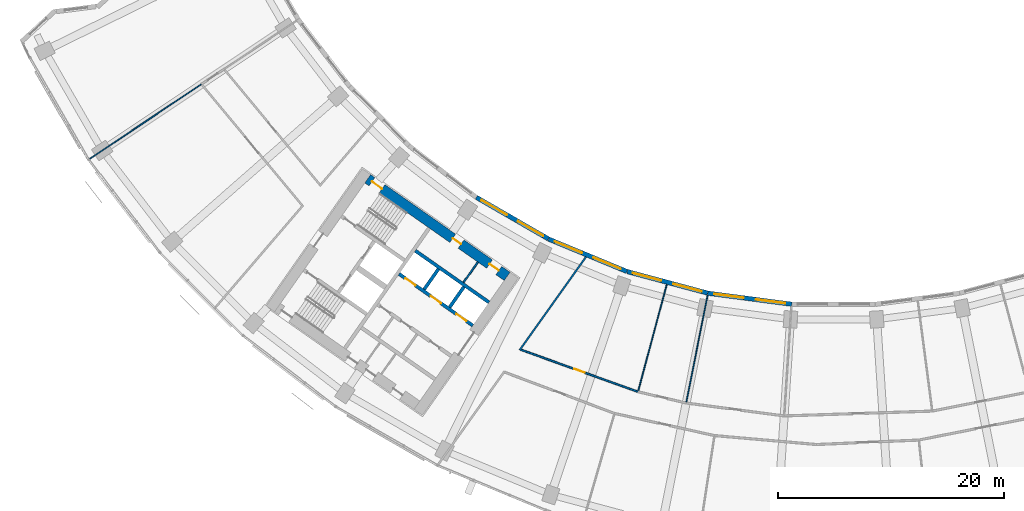
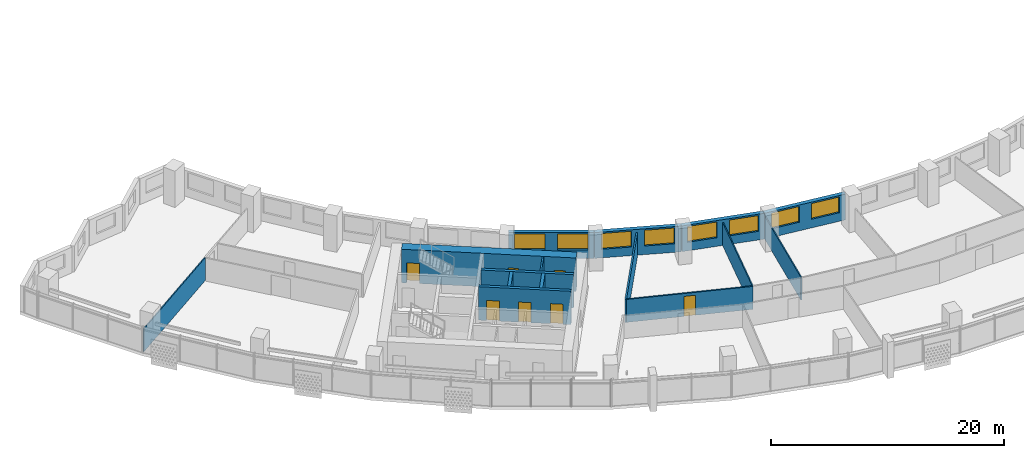
# One storey, part 4 of 30: 15 walls, 8 windows, 7 doors, 15 openings.
"""IFC4 building model written with IfcOpenShell, lengths in metres."""

from ifc_helpers import new_model, si_unit, direction, frame, frame_2d, origin, place, context, subcontext, project, spatial, rectangle, extrude, material, layer, layer_set, type_object, element, fill, save


model = new_model("IFC4")

# Units and contexts
model_context = context("Model", 3, precision=1e-05, world=origin(), true_north=direction((0.0, 1.0)))
body_context = subcontext(model_context, "Body", "Model", "MODEL_VIEW")
ifc_project = project(units=[si_unit("LENGTHUNIT", "METRE"), si_unit("AREAUNIT", "SQUARE_METRE"), si_unit("VOLUMEUNIT", "CUBIC_METRE"), si_unit("PLANEANGLEUNIT", "RADIAN"), si_unit("MASSUNIT", "GRAM", prefix="KILO")], contexts=[model_context])

# Site, building, storey
site_placement = place(None, origin())
site = spatial("IfcSite", under=ifc_project, at=site_placement, CompositionType="ELEMENT")
building_placement = place(site_placement, origin())
building = spatial("IfcBuilding", under=site, at=building_placement, Name="Qamariyya Broadcast Tower", CompositionType="ELEMENT")
storey_placement = place(building_placement, frame((0.0, 0.0, 98.699951171875)))
storey = spatial("IfcBuildingStorey", under=building, at=storey_placement, Name="L21", CompositionType="ELEMENT", Elevation=98.699951171875)

# Wall, openings, doors
ifc_material_1 = material(Name="Concrete C70/85", Category="concrete")
ifc_layer_1 = layer(ifc_material_1, 0.89990234375)
ifc_layer_set_1 = layer_set([ifc_layer_1], Name="Core wall 900 mm Concrete C70/85")
wall_type_1 = type_object("IfcWallType", Name="Core wall 900 mm Concrete C70/85", PredefinedType="SHEAR", material=ifc_layer_set_1)
wall_1_placement = place(storey_placement, frame((-28.8544921875, -54.32421875, 0.0), z_axis=(0.0, 0.0, 1.0), x_axis=(-0.819145767589, 0.573585400304, 0.0)))
wall_1 = element("IfcWall", 1, at=wall_1_placement, inside=storey, type_object=wall_type_1, Name="k-W-L21-WI", PredefinedType="SHEAR", context=body_context, shape_type="SweptSolid", body=[
    extrude(rectangle(XDim=15.04541015625, YDim=0.89990234375, at=frame_2d((7.522705078125, 0.0))), origin(), (0.0, 0.0, 1.0), 3.5),
])
opening_1_placement = place(wall_1_placement, frame((0.89990234375, 0.0, 0.0)))
opening_1 = element("IfcOpeningElement", 2, at=opening_1_placement, cuts=wall_1, Name="Opening KD7-W1", PredefinedType="OPENING", context=body_context, shape_type="SweptSolid", body=[
    extrude(rectangle(XDim=1.0, YDim=2.10009765625, at=frame_2d((0.5, 1.050048828125))), frame((0.0, 0.4599609375, 0.0), z_axis=(0.0, -1.0, 0.0), x_axis=(1.0, 0.0, 0.0)), (0.0, 0.0, 1.0), 0.919921875),
])
opening_2_placement = place(wall_1_placement, frame((4.97509765625, 0.0, 0.0)))
opening_2 = element("IfcOpeningElement", 3, at=opening_2_placement, cuts=wall_1, Name="Opening KD5-W1", PredefinedType="OPENING", context=body_context, shape_type="SweptSolid", body=[
    extrude(rectangle(XDim=0.89990234375, YDim=2.10009765625, at=frame_2d((0.449951171875, 1.050048828125))), frame((0.0, 0.4599609375, 0.0), z_axis=(0.0, -1.0, 0.0), x_axis=(1.0, 0.0, 0.0)), (0.0, 0.0, 1.0), 0.919921875),
])
opening_3_placement = place(wall_1_placement, frame((13.495361328125, 0.0, 0.0)))
opening_3 = element("IfcOpeningElement", 4, at=opening_3_placement, cuts=wall_1, Name="Opening KD1-W1", PredefinedType="OPENING", context=body_context, shape_type="SweptSolid", body=[
    extrude(rectangle(XDim=1.10009765625, YDim=2.10009765625, at=frame_2d((0.550048828125, 1.050048828125))), frame((0.0, 0.4599609375, 0.0), z_axis=(0.0, -1.0, 0.0), x_axis=(1.0, 0.0, 0.0)), (0.0, 0.0, 1.0), 0.919921875),
])
ifc_material_2 = material(Name="Steel fire-resisting door leaf", Category="steel")
door_type_1 = type_object("IfcDoorType", Name="Accessible toilet door KD7", OperationType="SINGLE_SWING_LEFT", PredefinedType="DOOR", material=ifc_material_2)
door_1_placement = place(opening_1_placement, origin())
door_1 = element("IfcDoor", 5, at=door_1_placement, inside=storey, type_object=door_type_1, Name="k-W-L21-WI-D8", OperationType="SINGLE_SWING_LEFT", OverallHeight=2.10009765625, OverallWidth=1.0, PredefinedType="DOOR", context=body_context, shape_type="SweptSolid", body=[
    extrude(rectangle(XDim=1.0, YDim=2.10009765625, at=frame_2d((0.5, 1.050048828125))), frame((0.0, 0.02490234375, 0.0), z_axis=(0.0, -1.0, 0.0), x_axis=(1.0, 0.0, 0.0)), (0.0, 0.0, 1.0), 0.050048828125),
])
fill(opening_1, door_1)
door_type_2 = type_object("IfcDoorType", Name="Stair door KD1", OperationType="SINGLE_SWING_LEFT", PredefinedType="DOOR", material=ifc_material_2)
door_2_placement = place(opening_3_placement, origin())
door_2 = element("IfcDoor", 6, at=door_2_placement, inside=storey, type_object=door_type_2, Name="k-W-L21-WI-D16", OperationType="SINGLE_SWING_RIGHT", OverallHeight=2.10009765625, OverallWidth=1.10009765625, PredefinedType="DOOR", context=body_context, shape_type="SweptSolid", body=[
    extrude(rectangle(XDim=1.10009765625, YDim=2.10009765625, at=frame_2d((0.550048828125, 1.050048828125))), frame((0.0, 0.02490234375, 0.0), z_axis=(0.0, -1.0, 0.0), x_axis=(1.0, 0.0, 0.0)), (0.0, 0.0, 1.0), 0.050048828125),
])
fill(opening_3, door_2)
door_type_3 = type_object("IfcDoorType", Name="Toilet door KD5", OperationType="SINGLE_SWING_LEFT", PredefinedType="DOOR", material=ifc_material_2)
door_3_placement = place(opening_2_placement, origin())
door_3 = element("IfcDoor", 7, at=door_3_placement, inside=storey, type_object=door_type_3, Name="k-W-L21-WI-D9", OperationType="SINGLE_SWING_RIGHT", OverallHeight=2.10009765625, OverallWidth=0.89990234375, PredefinedType="DOOR", context=body_context, shape_type="SweptSolid", body=[
    extrude(rectangle(XDim=0.89990234375, YDim=2.10009765625, at=frame_2d((0.449951171875, 1.050048828125))), frame((0.0, 0.02490234375, 0.0), z_axis=(0.0, -1.0, 0.0), x_axis=(1.0, 0.0, 0.0)), (0.0, 0.0, 1.0), 0.050048828125),
])
fill(opening_2, door_3)

# Wall, opening, door
ifc_material_3 = material(Name="Gypsum board partition")
ifc_layer_2 = layer(ifc_material_3, 0.14990234375)
ifc_layer_set_2 = layer_set([ifc_layer_2], Name="Corridor partition 150 EI 60")
wall_type_2 = type_object("IfcWallType", Name="Corridor partition 150 EI 60", PredefinedType="PARTITIONING", material=ifc_layer_set_2)
wall_2_placement = place(storey_placement, frame((-27.64013671875, -60.806640625, 0.0), z_axis=(0.0, 0.0, 1.0), x_axis=(0.941150861554, -0.337986768669, 0.0)))
wall_2 = element("IfcWall", 8, at=wall_2_placement, inside=storey, type_object=wall_type_2, Name="Partition L21-010", PredefinedType="PARTITIONING", context=body_context, shape_type="SweptSolid", body=[
    extrude(rectangle(XDim=10.998291015625, YDim=0.14990234375, at=frame_2d((5.4990234375, 0.0))), origin(), (0.0, 0.0, 1.0), 2.400146484375),
])
opening_4_placement = place(wall_2_placement, frame((4.9990234375, 0.0, 0.0)))
opening_4 = element("IfcOpeningElement", 9, at=opening_4_placement, cuts=wall_2, Name="Opening L21-D06", PredefinedType="OPENING", context=body_context, shape_type="SweptSolid", body=[
    extrude(rectangle(XDim=1.0, YDim=2.10009765625, at=frame_2d((0.5, 1.050048828125))), frame((0.0, 0.0849609375, 0.0), z_axis=(0.0, -1.0, 0.0), x_axis=(1.0, 0.0, 0.0)), (0.0, 0.0, 1.0), 0.169921875),
])
ifc_material_4 = material(Name="Timber fire door leaf", Category="wood")
door_type_4 = type_object("IfcDoorType", Name="Fire door 1000 x 2100 FD60", OperationType="NOTDEFINED", PredefinedType="DOOR", material=ifc_material_4)
door_4_placement = place(opening_4_placement, origin())
door_4 = element("IfcDoor", 10, at=door_4_placement, inside=storey, type_object=door_type_4, Name="Door L21-D06", OperationType="SINGLE_SWING_RIGHT", OverallHeight=2.10009765625, OverallWidth=1.0, PredefinedType="DOOR", context=body_context, shape_type="SweptSolid", body=[
    extrude(rectangle(XDim=1.0, YDim=2.10009765625, at=frame_2d((0.5, 1.050048828125))), frame((0.0, 0.02490234375, 0.0), z_axis=(0.0, -1.0, 0.0), x_axis=(1.0, 0.0, 0.0)), (0.0, 0.0, 1.0), 0.050048828125),
])
fill(opening_4, door_4)

# Walls
wall_3_placement = place(storey_placement, frame((-21.8837890625, -52.59765625, 0.0), z_axis=(0.0, 0.0, 1.0), x_axis=(-0.580016763963, -0.814604538118, 0.0)))
element("IfcWall", 11, at=wall_3_placement, inside=storey, type_object=wall_type_2, Name="Partition L21-012", PredefinedType="PARTITIONING", context=body_context, shape_type="SweptSolid", body=[
    extrude(rectangle(XDim=10.12109375, YDim=0.14990234375, at=frame_2d((5.060546875, 0.0))), origin(), (0.0, 0.0, 1.0), 2.400146484375),
])
ifc_material_5 = material(Name="Gypsum board partition on steel studs", Category="steel")
ifc_layer_3 = layer(ifc_material_5, 0.14990234375)
ifc_layer_set_3 = layer_set([ifc_layer_3], Name="Gypsum board partition 150 mm")
wall_type_3 = type_object("IfcWallType", Name="Gypsum board partition 150 mm", PredefinedType="PARTITIONING", material=ifc_layer_set_3)
wall_4_placement = place(storey_placement, frame((-32.709228515625, -54.860107421875, 0.0), z_axis=(0.0, 0.0, 1.0), x_axis=(0.573633636671, 0.819111989218, 0.0)))
element("IfcWall", 12, at=wall_4_placement, inside=storey, type_object=wall_type_3, Name="k-W-L21-NP285", PredefinedType="PARTITIONING", context=body_context, shape_type="SweptSolid", body=[
    extrude(rectangle(XDim=2.199951171875, YDim=0.14990234375, at=frame_2d((1.10009765625, 0.0))), origin(), (0.0, 0.0, 1.0), 3.5),
])

# Wall, openings, doors
ifc_material_6 = material(Name="Concrete C60/75", Category="concrete")
ifc_layer_4 = layer(ifc_material_6, 0.300048828125)
ifc_layer_set_4 = layer_set([ifc_layer_4], Name="Lift shaft wall 300 mm Concrete C60/75")
wall_type_4 = type_object("IfcWallType", Name="Lift shaft wall 300 mm Concrete C60/75", PredefinedType="SOLIDWALL", material=ifc_layer_set_4)
wall_5_placement = place(storey_placement, frame((-31.89453125, -58.66552734375, 0.0), z_axis=(0.0, 0.0, 1.0), x_axis=(-0.819166993208, 0.573555086491, 0.0)))
wall_5 = element("IfcWall", 13, at=wall_5_placement, inside=storey, type_object=wall_type_4, Name="k-W-L21-NF0", PredefinedType="SOLIDWALL", context=body_context, shape_type="SweptSolid", body=[
    extrude(rectangle(XDim=7.9501953125, YDim=0.300048828125, at=frame_2d((3.97509765625, 0.0))), origin(), (0.0, 0.0, 1.0), 3.5),
])
opening_5_placement = place(wall_5_placement, frame((0.675048828125, 0.0, 0.0)))
opening_5 = element("IfcOpeningElement", 14, at=opening_5_placement, cuts=wall_5, Name="Opening LD", PredefinedType="OPENING", context=body_context, shape_type="SweptSolid", body=[
    extrude(rectangle(XDim=1.10009765625, YDim=2.10009765625, at=frame_2d((0.550048828125, 1.050048828125))), frame((0.0, 0.159912109375, 0.0), z_axis=(0.0, -1.0, 0.0), x_axis=(1.0, 0.0, 0.0)), (0.0, 0.0, 1.0), 0.320068359375),
])
opening_6_placement = place(wall_5_placement, frame((3.425048828125, 0.0, 0.0)))
opening_6 = element("IfcOpeningElement", 15, at=opening_6_placement, cuts=wall_5, Name="Opening LD", PredefinedType="OPENING", context=body_context, shape_type="SweptSolid", body=[
    extrude(rectangle(XDim=1.10009765625, YDim=2.10009765625, at=frame_2d((0.550048828125, 1.050048828125))), frame((0.0, 0.159912109375, 0.0), z_axis=(0.0, -1.0, 0.0), x_axis=(1.0, 0.0, 0.0)), (0.0, 0.0, 1.0), 0.320068359375),
])
opening_7_placement = place(wall_5_placement, frame((6.175048828125, 0.0, 0.0)))
opening_7 = element("IfcOpeningElement", 16, at=opening_7_placement, cuts=wall_5, Name="Opening LD", PredefinedType="OPENING", context=body_context, shape_type="SweptSolid", body=[
    extrude(rectangle(XDim=1.10009765625, YDim=2.10009765625, at=frame_2d((0.550048828125, 1.050048828125))), frame((0.0, 0.159912109375, 0.0), z_axis=(0.0, -1.0, 0.0), x_axis=(1.0, 0.0, 0.0)), (0.0, 0.0, 1.0), 0.320068359375),
])
door_type_5 = type_object("IfcDoorType", Name="Lift landing door LD", OperationType="DOUBLE_DOOR_SLIDING", PredefinedType="DOOR", material=ifc_material_2)
door_5_placement = place(opening_5_placement, origin())
door_5 = element("IfcDoor", 17, at=door_5_placement, inside=storey, type_object=door_type_5, Name="k-W-L21-NF0-D2", OperationType="DOUBLE_DOOR_SLIDING", OverallHeight=2.10009765625, OverallWidth=1.10009765625, PredefinedType="DOOR", context=body_context, shape_type="SweptSolid", body=[
    extrude(rectangle(XDim=1.10009765625, YDim=2.10009765625, at=frame_2d((0.550048828125, 1.050048828125))), frame((0.0, 0.02490234375, 0.0), z_axis=(0.0, -1.0, 0.0), x_axis=(1.0, 0.0, 0.0)), (0.0, 0.0, 1.0), 0.050048828125),
])
fill(opening_5, door_5)
door_6_placement = place(opening_6_placement, origin())
door_6 = element("IfcDoor", 18, at=door_6_placement, inside=storey, type_object=door_type_5, Name="k-W-L21-NF0-D3", OperationType="DOUBLE_DOOR_SLIDING", OverallHeight=2.10009765625, OverallWidth=1.10009765625, PredefinedType="DOOR", context=body_context, shape_type="SweptSolid", body=[
    extrude(rectangle(XDim=1.10009765625, YDim=2.10009765625, at=frame_2d((0.550048828125, 1.050048828125))), frame((0.0, 0.02490234375, 0.0), z_axis=(0.0, -1.0, 0.0), x_axis=(1.0, 0.0, 0.0)), (0.0, 0.0, 1.0), 0.050048828125),
])
fill(opening_6, door_6)
door_7_placement = place(opening_7_placement, origin())
door_7 = element("IfcDoor", 19, at=door_7_placement, inside=storey, type_object=door_type_5, Name="k-W-L21-NF0-D4", OperationType="DOUBLE_DOOR_SLIDING", OverallHeight=2.10009765625, OverallWidth=1.10009765625, PredefinedType="DOOR", context=body_context, shape_type="SweptSolid", body=[
    extrude(rectangle(XDim=1.10009765625, YDim=2.10009765625, at=frame_2d((0.550048828125, 1.050048828125))), frame((0.0, 0.02490234375, 0.0), z_axis=(0.0, -1.0, 0.0), x_axis=(1.0, 0.0, 0.0)), (0.0, 0.0, 1.0), 0.050048828125),
])
fill(opening_7, door_7)

# Walls
wall_6_placement = place(storey_placement, frame((-30.460693359375, -56.61767578125, 0.0), z_axis=(0.0, 0.0, 1.0), x_axis=(-0.819142461705, 0.573590121456, 0.0)))
element("IfcWall", 20, at=wall_6_placement, inside=storey, type_object=wall_type_4, Name="k-W-L21-NB0", PredefinedType="SOLIDWALL", context=body_context, shape_type="SweptSolid", body=[
    extrude(rectangle(XDim=7.949951171875, YDim=0.300048828125, at=frame_2d((3.97509765625, 0.0))), origin(), (0.0, 0.0, 1.0), 3.5),
])
wall_7_placement = place(storey_placement, frame((-33.9384765625, -57.051513671875, 0.0), z_axis=(0.0, 0.0, 1.0), x_axis=(0.573581496053, 0.819148501424, 0.0)))
element("IfcWall", 21, at=wall_7_placement, inside=storey, type_object=wall_type_4, Name="k-W-L21-ND0", PredefinedType="SOLIDWALL", context=body_context, shape_type="SweptSolid", body=[
    extrude(rectangle(XDim=2.2001953125, YDim=0.300048828125, at=frame_2d((1.10009765625, 0.0))), origin(), (0.0, 0.0, 1.0), 3.5),
])
wall_8_placement = place(storey_placement, frame((-36.19091796875, -55.47412109375, 0.0), z_axis=(0.0, 0.0, 1.0), x_axis=(0.573507030513, 0.819200638399, 0.0)))
element("IfcWall", 22, at=wall_8_placement, inside=storey, type_object=wall_type_4, Name="k-W-L21-ND1", PredefinedType="SOLIDWALL", context=body_context, shape_type="SweptSolid", body=[
    extrude(rectangle(XDim=2.199951171875, YDim=0.300048828125, at=frame_2d((1.10009765625, 0.0))), origin(), (0.0, 0.0, 1.0), 3.5),
])
ifc_layer_5 = layer(ifc_material_3, 0.10009765625)
ifc_layer_set_5 = layer_set([ifc_layer_5], Name="Partition 100")
wall_type_5 = type_object("IfcWallType", Name="Partition 100", PredefinedType="PARTITIONING", material=ifc_layer_set_5)
wall_9_placement = place(storey_placement, frame((-65.769287109375, -43.945556640625, 0.0), z_axis=(0.0, 0.0, 1.0), x_axis=(0.831469080044, 0.555571029599, 0.0)))
element("IfcWall", 23, at=wall_9_placement, inside=storey, type_object=wall_type_5, Name="Partition L21-001", PredefinedType="PARTITIONING", context=body_context, shape_type="SweptSolid", body=[
    extrude(rectangle(XDim=11.900146484375, YDim=0.10009765625, at=frame_2d((5.9501953125, 0.0))), origin(), (0.0, 0.0, 1.0), 2.400146484375),
])
wall_10_placement = place(storey_placement, frame((-14.7470703125, -55.037109375, 0.0), z_axis=(0.0, 0.0, 1.0), x_axis=(-0.258833329344, -0.965921998725, 0.0)))
element("IfcWall", 24, at=wall_10_placement, inside=storey, type_object=wall_type_5, Name="Partition L21-015", PredefinedType="PARTITIONING", context=body_context, shape_type="SweptSolid", body=[
    extrude(rectangle(XDim=9.746337890625, YDim=0.10009765625, at=frame_2d((4.873046875, 0.0))), origin(), (0.0, 0.0, 1.0), 2.400146484375),
])
wall_11_placement = place(storey_placement, frame((-11.1396484375, -56.0029296875, 0.0), z_axis=(0.0, 0.0, 1.0), x_axis=(-0.195086769421, -0.980785987052, 0.0)))
element("IfcWall", 25, at=wall_11_placement, inside=storey, type_object=wall_type_5, Name="Partition L21-018", PredefinedType="PARTITIONING", context=body_context, shape_type="SweptSolid", body=[
    extrude(rectangle(XDim=9.624755859375, YDim=0.10009765625, at=frame_2d((4.8125, 0.0))), origin(), (0.0, 0.0, 1.0), 2.400146484375),
])

# Wall, openings, windows
ifc_material_7 = material(Name="Terracotta", Category="masonry")
ifc_layer_6 = layer(ifc_material_7, 0.39990234375)
ifc_layer_set_6 = layer_set([ifc_layer_6], Name="Terracotta clad wall 400")
wall_type_6 = type_object("IfcWallType", Name="Terracotta clad wall 400", PredefinedType="SOLIDWALL", material=ifc_layer_set_6)
wall_12_placement = place(storey_placement, frame((-25.21044921875, -51.007080078125, 0.0), z_axis=(0.0, 0.0, 1.0), x_axis=(-0.866030525931, 0.499991128077, 0.0)))
wall_12 = element("IfcWall", 26, at=wall_12_placement, inside=storey, type_object=wall_type_6, Name="e-wl-L21-in50", PredefinedType="SOLIDWALL", context=body_context, shape_type="SweptSolid", body=[
    extrude(rectangle(XDim=7.341552734375, YDim=0.39990234375, at=frame_2d((3.6708984375, 0.0))), origin(), (0.0, 0.0, 1.0), 2.699951171875),
])
opening_8_placement = place(wall_12_placement, frame((4.224853515625, 0.0, 0.89990234375)))
opening_8 = element("IfcOpeningElement", 27, at=opening_8_placement, cuts=wall_12, Name="Opening W1", PredefinedType="OPENING", context=body_context, shape_type="SweptSolid", body=[
    extrude(rectangle(XDim=2.60009765625, YDim=1.64990234375, at=frame_2d((1.300048828125, 0.824951171875))), frame((0.0, 0.2099609375, 0.0), z_axis=(0.0, -1.0, 0.0), x_axis=(1.0, 0.0, 0.0)), (0.0, 0.0, 1.0), 0.419921875),
])
opening_9_placement = place(wall_12_placement, frame((0.5166015625, 0.0, 0.89990234375)))
opening_9 = element("IfcOpeningElement", 28, at=opening_9_placement, cuts=wall_12, Name="Opening W1", PredefinedType="OPENING", context=body_context, shape_type="SweptSolid", body=[
    extrude(rectangle(XDim=2.60009765625, YDim=1.64990234375, at=frame_2d((1.300048828125, 0.824951171875))), frame((0.0, 0.2099609375, 0.0), z_axis=(0.0, -1.0, 0.0), x_axis=(1.0, 0.0, 0.0)), (0.0, 0.0, 1.0), 0.419921875),
])
ifc_material_8 = material(Name="Clear low-e double glazed unit in aluminium frame", Category="aluminium")
window_type = type_object("IfcWindowType", Name="Ribbon window 2600 x 1650", PartitioningType="SINGLE_PANEL", PredefinedType="WINDOW", material=ifc_material_8)
window_1_placement = place(opening_8_placement, origin())
window_1 = element("IfcWindow", 29, at=window_1_placement, inside=storey, type_object=window_type, Name="e-w-L21-in05-0", OverallHeight=1.64990234375, OverallWidth=2.60009765625, PartitioningType="SINGLE_PANEL", PredefinedType="WINDOW", context=body_context, shape_type="SweptSolid", body=[
    extrude(rectangle(XDim=2.60009765625, YDim=1.64990234375, at=frame_2d((1.300048828125, 0.824951171875))), frame((0.0, 0.030029296875, 0.0), z_axis=(0.0, -1.0, 0.0), x_axis=(1.0, 0.0, 0.0)), (0.0, 0.0, 1.0), 0.06005859375),
])
fill(opening_8, window_1)
window_2_placement = place(opening_9_placement, origin())
window_2 = element("IfcWindow", 30, at=window_2_placement, inside=storey, type_object=window_type, Name="e-w-L21-in05-1", OverallHeight=1.64990234375, OverallWidth=2.60009765625, PartitioningType="SINGLE_PANEL", PredefinedType="WINDOW", context=body_context, shape_type="SweptSolid", body=[
    extrude(rectangle(XDim=2.60009765625, YDim=1.64990234375, at=frame_2d((1.300048828125, 0.824951171875))), frame((0.0, 0.030029296875, 0.0), z_axis=(0.0, -1.0, 0.0), x_axis=(1.0, 0.0, 0.0)), (0.0, 0.0, 1.0), 0.06005859375),
])
fill(opening_9, window_2)

wall_13_placement = place(storey_placement, frame((-18.266845703125, -53.890380859375, 0.0), z_axis=(0.0, 0.0, 1.0), x_axis=(-0.923879826967, 0.382682721486, 0.0)))
wall_13 = element("IfcWall", 31, at=wall_13_placement, inside=storey, type_object=wall_type_6, Name="e-wl-L21-in60", PredefinedType="SOLIDWALL", context=body_context, shape_type="SweptSolid", body=[
    extrude(rectangle(XDim=7.492919921875, YDim=0.39990234375, at=frame_2d((3.74658203125, 0.0))), origin(), (0.0, 0.0, 1.0), 2.699951171875),
])
opening_10_placement = place(wall_13_placement, frame((4.300537109375, 0.0, 0.89990234375)))
opening_10 = element("IfcOpeningElement", 32, at=opening_10_placement, cuts=wall_13, Name="Opening W1", PredefinedType="OPENING", context=body_context, shape_type="SweptSolid", body=[
    extrude(rectangle(XDim=2.60009765625, YDim=1.64990234375, at=frame_2d((1.300048828125, 0.824951171875))), frame((0.0, 0.2099609375, 0.0), z_axis=(0.0, -1.0, 0.0), x_axis=(1.0, 0.0, 0.0)), (0.0, 0.0, 1.0), 0.419921875),
])
opening_11_placement = place(wall_13_placement, frame((0.59228515625, 0.0, 0.89990234375)))
opening_11 = element("IfcOpeningElement", 33, at=opening_11_placement, cuts=wall_13, Name="Opening W1", PredefinedType="OPENING", context=body_context, shape_type="SweptSolid", body=[
    extrude(rectangle(XDim=2.60009765625, YDim=1.64990234375, at=frame_2d((1.300048828125, 0.824951171875))), frame((0.0, 0.2099609375, 0.0), z_axis=(0.0, -1.0, 0.0), x_axis=(1.0, 0.0, 0.0)), (0.0, 0.0, 1.0), 0.419921875),
])
window_3_placement = place(opening_10_placement, origin())
window_3 = element("IfcWindow", 34, at=window_3_placement, inside=storey, type_object=window_type, Name="e-w-L21-in06-0", OverallHeight=1.64990234375, OverallWidth=2.60009765625, PartitioningType="SINGLE_PANEL", PredefinedType="WINDOW", context=body_context, shape_type="SweptSolid", body=[
    extrude(rectangle(XDim=2.60009765625, YDim=1.64990234375, at=frame_2d((1.300048828125, 0.824951171875))), frame((0.0, 0.030029296875, 0.0), z_axis=(0.0, -1.0, 0.0), x_axis=(1.0, 0.0, 0.0)), (0.0, 0.0, 1.0), 0.06005859375),
])
fill(opening_10, window_3)
window_4_placement = place(opening_11_placement, origin())
window_4 = element("IfcWindow", 35, at=window_4_placement, inside=storey, type_object=window_type, Name="e-w-L21-in06-1", OverallHeight=1.64990234375, OverallWidth=2.60009765625, PartitioningType="SINGLE_PANEL", PredefinedType="WINDOW", context=body_context, shape_type="SweptSolid", body=[
    extrude(rectangle(XDim=2.60009765625, YDim=1.64990234375, at=frame_2d((1.300048828125, 0.824951171875))), frame((0.0, 0.030029296875, 0.0), z_axis=(0.0, -1.0, 0.0), x_axis=(1.0, 0.0, 0.0)), (0.0, 0.0, 1.0), 0.06005859375),
])
fill(opening_11, window_4)

wall_14_placement = place(storey_placement, frame((-11.149658203125, -55.7939453125, 0.0), z_axis=(0.0, 0.0, 1.0), x_axis=(-0.965924597867, 0.258823629594, 0.0)))
wall_14 = element("IfcWall", 36, at=wall_14_placement, inside=storey, type_object=wall_type_6, Name="e-wl-L21-in70", PredefinedType="SOLIDWALL", context=body_context, shape_type="SweptSolid", body=[
    extrude(rectangle(XDim=7.341552734375, YDim=0.39990234375, at=frame_2d((3.6708984375, 0.0))), origin(), (0.0, 0.0, 1.0), 2.699951171875),
])
opening_12_placement = place(wall_14_placement, frame((4.224853515625, 0.0, 0.89990234375)))
opening_12 = element("IfcOpeningElement", 37, at=opening_12_placement, cuts=wall_14, Name="Opening W1", PredefinedType="OPENING", context=body_context, shape_type="SweptSolid", body=[
    extrude(rectangle(XDim=2.60009765625, YDim=1.64990234375, at=frame_2d((1.300048828125, 0.824951171875))), frame((0.0, 0.2099609375, 0.0), z_axis=(0.0, -1.0, 0.0), x_axis=(1.0, 0.0, 0.0)), (0.0, 0.0, 1.0), 0.419921875),
])
opening_13_placement = place(wall_14_placement, frame((0.5166015625, 0.0, 0.89990234375)))
opening_13 = element("IfcOpeningElement", 38, at=opening_13_placement, cuts=wall_14, Name="Opening W1", PredefinedType="OPENING", context=body_context, shape_type="SweptSolid", body=[
    extrude(rectangle(XDim=2.60009765625, YDim=1.64990234375, at=frame_2d((1.300048828125, 0.824951171875))), frame((0.0, 0.2099609375, 0.0), z_axis=(0.0, -1.0, 0.0), x_axis=(1.0, 0.0, 0.0)), (0.0, 0.0, 1.0), 0.419921875),
])
window_5_placement = place(opening_12_placement, origin())
window_5 = element("IfcWindow", 39, at=window_5_placement, inside=storey, type_object=window_type, Name="e-w-L21-in07-0", OverallHeight=1.64990234375, OverallWidth=2.60009765625, PartitioningType="SINGLE_PANEL", PredefinedType="WINDOW", context=body_context, shape_type="SweptSolid", body=[
    extrude(rectangle(XDim=2.60009765625, YDim=1.64990234375, at=frame_2d((1.300048828125, 0.824951171875))), frame((0.0, 0.030029296875, 0.0), z_axis=(0.0, -1.0, 0.0), x_axis=(1.0, 0.0, 0.0)), (0.0, 0.0, 1.0), 0.06005859375),
])
fill(opening_12, window_5)
window_6_placement = place(opening_13_placement, origin())
window_6 = element("IfcWindow", 40, at=window_6_placement, inside=storey, type_object=window_type, Name="e-w-L21-in07-1", OverallHeight=1.64990234375, OverallWidth=2.60009765625, PartitioningType="SINGLE_PANEL", PredefinedType="WINDOW", context=body_context, shape_type="SweptSolid", body=[
    extrude(rectangle(XDim=2.60009765625, YDim=1.64990234375, at=frame_2d((1.300048828125, 0.824951171875))), frame((0.0, 0.030029296875, 0.0), z_axis=(0.0, -1.0, 0.0), x_axis=(1.0, 0.0, 0.0)), (0.0, 0.0, 1.0), 0.06005859375),
])
fill(opening_13, window_6)

wall_15_placement = place(storey_placement, frame((-3.69677734375, -56.781982421875, 0.0), z_axis=(0.0, 0.0, 1.0), x_axis=(-0.991444533306, 0.130528684121, 0.0)))
wall_15 = element("IfcWall", 41, at=wall_15_placement, inside=storey, type_object=wall_type_6, Name="e-wl-L21-in80", PredefinedType="SOLIDWALL", context=body_context, shape_type="SweptSolid", body=[
    extrude(rectangle(XDim=7.492919921875, YDim=0.39990234375, at=frame_2d((3.74658203125, 0.0))), origin(), (0.0, 0.0, 1.0), 2.699951171875),
])
opening_14_placement = place(wall_15_placement, frame((4.300537109375, 0.0, 0.89990234375)))
opening_14 = element("IfcOpeningElement", 42, at=opening_14_placement, cuts=wall_15, Name="Opening W1", PredefinedType="OPENING", context=body_context, shape_type="SweptSolid", body=[
    extrude(rectangle(XDim=2.60009765625, YDim=1.64990234375, at=frame_2d((1.300048828125, 0.824951171875))), frame((0.0, 0.2099609375, 0.0), z_axis=(0.0, -1.0, 0.0), x_axis=(1.0, 0.0, 0.0)), (0.0, 0.0, 1.0), 0.419921875),
])
opening_15_placement = place(wall_15_placement, frame((0.59228515625, 0.0, 0.89990234375)))
opening_15 = element("IfcOpeningElement", 43, at=opening_15_placement, cuts=wall_15, Name="Opening W1", PredefinedType="OPENING", context=body_context, shape_type="SweptSolid", body=[
    extrude(rectangle(XDim=2.60009765625, YDim=1.64990234375, at=frame_2d((1.300048828125, 0.824951171875))), frame((0.0, 0.2099609375, 0.0), z_axis=(0.0, -1.0, 0.0), x_axis=(1.0, 0.0, 0.0)), (0.0, 0.0, 1.0), 0.419921875),
])
window_7_placement = place(opening_14_placement, origin())
window_7 = element("IfcWindow", 44, at=window_7_placement, inside=storey, type_object=window_type, Name="e-w-L21-in08-0", OverallHeight=1.64990234375, OverallWidth=2.60009765625, PartitioningType="SINGLE_PANEL", PredefinedType="WINDOW", context=body_context, shape_type="SweptSolid", body=[
    extrude(rectangle(XDim=2.60009765625, YDim=1.64990234375, at=frame_2d((1.300048828125, 0.824951171875))), frame((0.0, 0.030029296875, 0.0), z_axis=(0.0, -1.0, 0.0), x_axis=(1.0, 0.0, 0.0)), (0.0, 0.0, 1.0), 0.06005859375),
])
fill(opening_14, window_7)
window_8_placement = place(opening_15_placement, origin())
window_8 = element("IfcWindow", 45, at=window_8_placement, inside=storey, type_object=window_type, Name="e-w-L21-in08-1", OverallHeight=1.64990234375, OverallWidth=2.60009765625, PartitioningType="SINGLE_PANEL", PredefinedType="WINDOW", context=body_context, shape_type="SweptSolid", body=[
    extrude(rectangle(XDim=2.60009765625, YDim=1.64990234375, at=frame_2d((1.300048828125, 0.824951171875))), frame((0.0, 0.030029296875, 0.0), z_axis=(0.0, -1.0, 0.0), x_axis=(1.0, 0.0, 0.0)), (0.0, 0.0, 1.0), 0.06005859375),
])
fill(opening_15, window_8)

save(model, "model.ifc")
